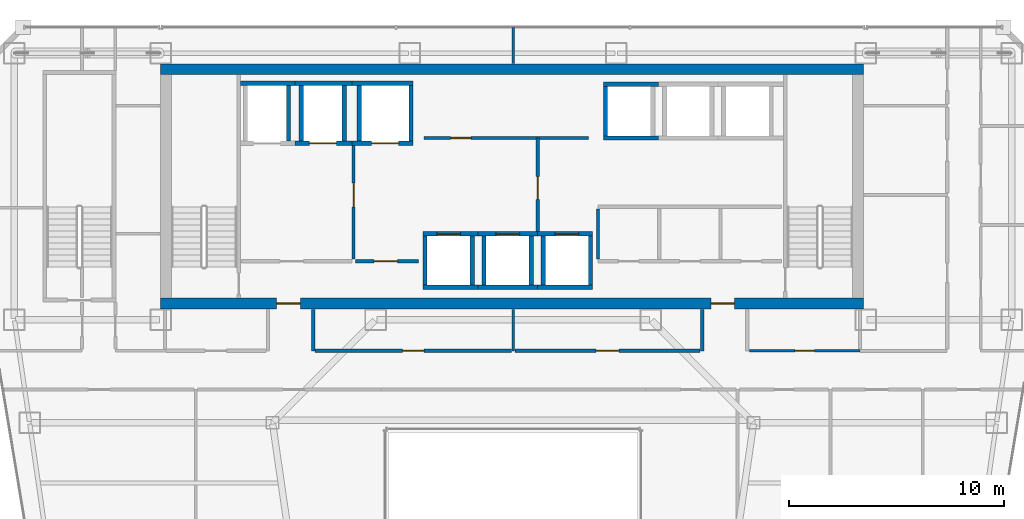
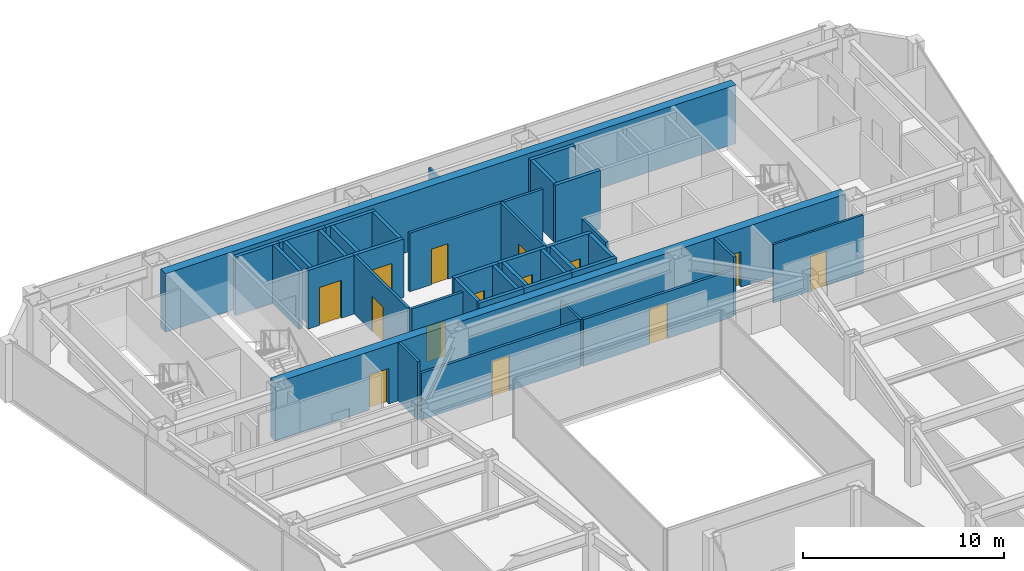
# One storey, part 32 of 37: 39 walls, 14 doors, 14 openings.
"""IFC4 building model written with IfcOpenShell, lengths in metres."""

from ifc_helpers import new_model, si_unit, direction, frame, frame_2d, origin, place, context, subcontext, project, spatial, rectangle, extrude, material, layer, layer_set, type_object, element, fill, save


model = new_model("IFC4")

# Units and contexts
model_context = context("Model", 3, precision=1e-05, world=origin(), true_north=direction((0.0, 1.0)))
body_context = subcontext(model_context, "Body", "Model", "MODEL_VIEW")
ifc_project = project(units=[si_unit("LENGTHUNIT", "METRE"), si_unit("AREAUNIT", "SQUARE_METRE"), si_unit("VOLUMEUNIT", "CUBIC_METRE"), si_unit("PLANEANGLEUNIT", "RADIAN"), si_unit("MASSUNIT", "GRAM", prefix="KILO")], contexts=[model_context])

# Site, building, storey
site_placement = place(None, origin())
site = spatial("IfcSite", under=ifc_project, at=site_placement, CompositionType="ELEMENT")
building_placement = place(site_placement, origin())
building = spatial("IfcBuilding", under=site, at=building_placement, Name="Saevonmaru Cultural Tower", CompositionType="ELEMENT")
storey_placement = place(building_placement, frame((0.0, 0.0, 144.800048828125)))
storey = spatial("IfcBuildingStorey", under=building, at=storey_placement, Name="L31", CompositionType="ELEMENT", Elevation=144.800048828125)

# Wall, openings, doors
ifc_material_1 = material(Name="Concrete C60/75", Category="concrete")
ifc_layer_1 = layer(ifc_material_1, 0.5, Name="Concrete C60/75")
ifc_layer_set_1 = layer_set([ifc_layer_1], Name="Concrete C60/75")
wall_type_1 = type_object("IfcWallType", Name="WL-CORE-500", PredefinedType="SHEAR", material=ifc_layer_set_1)
wall_1_placement = place(storey_placement, frame((13.60009765625, 43.14990234375, 0.0), z_axis=(0.0, 0.0, 1.0), x_axis=(1.0, 0.0, 0.0)))
wall_1 = element("IfcWall", 1, at=wall_1_placement, inside=storey, type_object=wall_type_1, Name="L31 Tower RC core shear wall S", PredefinedType="SHEAR", context=body_context, shape_type="SweptSolid", body=[
    extrude(rectangle(XDim=32.699951171875, YDim=0.5, at=frame_2d((16.35009765625, 0.0))), origin(), (0.0, 0.0, 1.0), 3.550048828125),
])
opening_1_placement = place(wall_1_placement, frame((5.39990234375, 0.0, 0.0)))
opening_1 = element("IfcOpeningElement", 2, at=opening_1_placement, cuts=wall_1, Name="Opening FD-2", PredefinedType="OPENING", context=body_context, shape_type="SweptSolid", body=[
    extrude(rectangle(XDim=1.10009765625, YDim=2.14990234375, at=frame_2d((0.550048828125, 1.074951171875))), frame((0.0, 0.260009765625, 0.0), z_axis=(0.0, -1.0, 0.0), x_axis=(1.0, 0.0, 0.0)), (0.0, 0.0, 1.0), 0.52001953125),
])
opening_2_placement = place(wall_1_placement, frame((25.60009765625, 0.0, 0.0)))
opening_2 = element("IfcOpeningElement", 3, at=opening_2_placement, cuts=wall_1, Name="Opening FD-2", PredefinedType="OPENING", context=body_context, shape_type="SweptSolid", body=[
    extrude(rectangle(XDim=1.10009765625, YDim=2.14990234375, at=frame_2d((0.550048828125, 1.074951171875))), frame((0.0, 0.260009765625, 0.0), z_axis=(0.0, -1.0, 0.0), x_axis=(1.0, 0.0, 0.0)), (0.0, 0.0, 1.0), 0.52001953125),
])
ifc_material_2 = material(Name="Satin Bronze Anodised Aluminium", Category="aluminium")
door_type_1 = type_object("IfcDoorType", Name="DR-FD60-1100", OperationType="SINGLE_SWING_LEFT", PredefinedType="DOOR", material=ifc_material_2)
door_1_placement = place(opening_1_placement, origin())
door_1 = element("IfcDoor", 4, at=door_1_placement, inside=storey, type_object=door_type_1, Name="L31 Core West Lobby Fire Door", OperationType="SINGLE_SWING_LEFT", OverallHeight=2.14990234375, OverallWidth=1.10009765625, PredefinedType="DOOR", context=body_context, shape_type="SweptSolid", body=[
    extrude(rectangle(XDim=1.10009765625, YDim=2.14990234375, at=frame_2d((0.550048828125, 1.074951171875))), frame((0.0, 0.02490234375, 0.0), z_axis=(0.0, -1.0, 0.0), x_axis=(1.0, 0.0, 0.0)), (0.0, 0.0, 1.0), 0.050048828125),
])
fill(opening_1, door_1)
door_2_placement = place(opening_2_placement, origin())
door_2 = element("IfcDoor", 5, at=door_2_placement, inside=storey, type_object=door_type_1, Name="L31 Core East Lobby Fire Door", OperationType="SINGLE_SWING_LEFT", OverallHeight=2.14990234375, OverallWidth=1.10009765625, PredefinedType="DOOR", context=body_context, shape_type="SweptSolid", body=[
    extrude(rectangle(XDim=1.10009765625, YDim=2.14990234375, at=frame_2d((0.550048828125, 1.074951171875))), frame((0.0, 0.02490234375, 0.0), z_axis=(0.0, -1.0, 0.0), x_axis=(1.0, 0.0, 0.0)), (0.0, 0.0, 1.0), 0.050048828125),
])
fill(opening_2, door_2)

# Wall
wall_2_placement = place(storey_placement, frame((13.60009765625, 54.050048828125, 0.0), z_axis=(0.0, 0.0, 1.0), x_axis=(1.0, 0.0, 0.0)))
element("IfcWall", 6, at=wall_2_placement, inside=storey, type_object=wall_type_1, Name="L31 Tower RC core shear wall N", PredefinedType="SHEAR", context=body_context, shape_type="SweptSolid", body=[
    extrude(rectangle(XDim=32.699951171875, YDim=0.5, at=frame_2d((16.35009765625, 0.0))), origin(), (0.0, 0.0, 1.0), 3.550048828125),
])

# Wall, opening, door
ifc_material_3 = material(Name="Gypsum Fireboard Partition", Category="gypsum")
ifc_layer_2 = layer(ifc_material_3, 0.14990234375, Name="Gypsum Fireboard Partition")
ifc_layer_set_2 = layer_set([ifc_layer_2], Name="Gypsum Fireboard Partition")
wall_type_2 = type_object("IfcWallType", Name="WL-CORE-PART-150", PredefinedType="PARTITIONING", material=ifc_layer_set_2)
wall_3_placement = place(storey_placement, frame((22.580078125, 50.550048828125, 0.0), z_axis=(0.0, 0.0, 1.0), x_axis=(0.0, -1.0, 0.0)))
wall_3 = element("IfcWall", 7, at=wall_3_placement, inside=storey, type_object=wall_type_2, Name="L31 Firefighting Lift Lobby East Wall", PredefinedType="PARTITIONING", context=body_context, shape_type="SweptSolid", body=[
    extrude(rectangle(XDim=5.330078125, YDim=0.14990234375, at=frame_2d((2.6650390625, 0.0))), origin(), (0.0, 0.0, 1.0), 3.550048828125),
])
opening_3_placement = place(wall_3_placement, frame((1.800048828125, 0.0, 0.0)))
opening_3 = element("IfcOpeningElement", 8, at=opening_3_placement, cuts=wall_3, Name="Opening FD-2", PredefinedType="OPENING", context=body_context, shape_type="SweptSolid", body=[
    extrude(rectangle(XDim=1.10009765625, YDim=2.14990234375, at=frame_2d((0.550048828125, 1.074951171875))), frame((0.0, 0.0849609375, 0.0), z_axis=(0.0, -1.0, 0.0), x_axis=(1.0, 0.0, 0.0)), (0.0, 0.0, 1.0), 0.169921875),
])
door_3_placement = place(opening_3_placement, origin())
door_3 = element("IfcDoor", 9, at=door_3_placement, inside=storey, type_object=door_type_1, Name="L31 Firefighting Lift Lobby East Door", OperationType="SINGLE_SWING_LEFT", OverallHeight=2.14990234375, OverallWidth=1.10009765625, PredefinedType="DOOR", context=body_context, shape_type="SweptSolid", body=[
    extrude(rectangle(XDim=1.10009765625, YDim=2.14990234375, at=frame_2d((0.550048828125, 1.074951171875))), frame((0.0, 0.02490234375, 0.0), z_axis=(0.0, -1.0, 0.0), x_axis=(1.0, 0.0, 0.0)), (0.0, 0.0, 1.0), 0.050048828125),
])
fill(opening_3, door_3)

wall_4_placement = place(storey_placement, frame((22.679931640625, 45.1201171875, 0.0), z_axis=(0.0, 0.0, 1.0), x_axis=(1.0, 0.0, 0.0)))
wall_4 = element("IfcWall", 10, at=wall_4_placement, inside=storey, type_object=wall_type_2, Name="L31 Service Lift Vestibule Wall", PredefinedType="PARTITIONING", context=body_context, shape_type="SweptSolid", body=[
    extrude(rectangle(XDim=2.920166015625, YDim=0.14990234375, at=frame_2d((1.4599609375, 0.0))), origin(), (0.0, 0.0, 1.0), 3.550048828125),
])
opening_4_placement = place(wall_4_placement, frame((0.85009765625, 0.0, 0.0)))
opening_4 = element("IfcOpeningElement", 11, at=opening_4_placement, cuts=wall_4, Name="Opening FD-2", PredefinedType="OPENING", context=body_context, shape_type="SweptSolid", body=[
    extrude(rectangle(XDim=1.10009765625, YDim=2.14990234375, at=frame_2d((0.550048828125, 1.074951171875))), frame((0.0, 0.0849609375, 0.0), z_axis=(0.0, -1.0, 0.0), x_axis=(1.0, 0.0, 0.0)), (0.0, 0.0, 1.0), 0.169921875),
])
door_4_placement = place(opening_4_placement, origin())
door_4 = element("IfcDoor", 12, at=door_4_placement, inside=storey, type_object=door_type_1, Name="L31 Service Lift Vestibule Door", OperationType="SINGLE_SWING_LEFT", OverallHeight=2.14990234375, OverallWidth=1.10009765625, PredefinedType="DOOR", context=body_context, shape_type="SweptSolid", body=[
    extrude(rectangle(XDim=1.10009765625, YDim=2.14990234375, at=frame_2d((0.550048828125, 1.074951171875))), frame((0.0, 0.02490234375, 0.0), z_axis=(0.0, -1.0, 0.0), x_axis=(1.0, 0.0, 0.0)), (0.0, 0.0, 1.0), 0.050048828125),
])
fill(opening_4, door_4)

wall_5_placement = place(storey_placement, frame((31.14990234375, 46.5, 0.0), z_axis=(0.0, 0.0, 1.0), x_axis=(0.0, 1.0, 0.0)))
wall_5 = element("IfcWall", 13, at=wall_5_placement, inside=storey, type_object=wall_type_2, Name="L31 Lift Zone Baffle 1", PredefinedType="PARTITIONING", context=body_context, shape_type="SweptSolid", body=[
    extrude(rectangle(XDim=4.35009765625, YDim=0.14990234375, at=frame_2d((2.175048828125, 0.0))), origin(), (0.0, 0.0, 1.0), 3.550048828125),
])
opening_5_placement = place(wall_5_placement, frame((1.5, 0.0, 0.0)))
opening_5 = element("IfcOpeningElement", 14, at=opening_5_placement, cuts=wall_5, Name="Opening ID-1", PredefinedType="OPENING", context=body_context, shape_type="SweptSolid", body=[
    extrude(rectangle(XDim=1.050048828125, YDim=2.14990234375, at=frame_2d((0.52490234375, 1.074951171875))), frame((0.0, 0.0849609375, 0.0), z_axis=(0.0, -1.0, 0.0), x_axis=(1.0, 0.0, 0.0)), (0.0, 0.0, 1.0), 0.169921875),
])
door_type_2 = type_object("IfcDoorType", Name="DR-INT-1050", OperationType="SINGLE_SWING_LEFT", PredefinedType="DOOR", material=ifc_material_2)
door_5_placement = place(opening_5_placement, origin())
door_5 = element("IfcDoor", 15, at=door_5_placement, inside=storey, type_object=door_type_2, Name="L31 West-Mid Lobby Portal", OperationType="SINGLE_SWING_LEFT", OverallHeight=2.14990234375, OverallWidth=1.050048828125, PredefinedType="DOOR", context=body_context, shape_type="SweptSolid", body=[
    extrude(rectangle(XDim=1.050048828125, YDim=2.14990234375, at=frame_2d((0.52490234375, 1.074951171875))), frame((0.0, 0.02490234375, 0.0), z_axis=(0.0, -1.0, 0.0), x_axis=(1.0, 0.0, 0.0)), (0.0, 0.0, 1.0), 0.050048828125),
])
fill(opening_5, door_5)

# Wall
wall_6_placement = place(storey_placement, frame((33.949951171875, 45.219970703125, 0.0), z_axis=(0.0, 0.0, 1.0), x_axis=(0.0, 1.0, 0.0)))
element("IfcWall", 16, at=wall_6_placement, inside=storey, type_object=wall_type_2, Name="L31 Core Utility West Wall", PredefinedType="PARTITIONING", context=body_context, shape_type="SweptSolid", body=[
    extrude(rectangle(XDim=2.330078125, YDim=0.14990234375, at=frame_2d((1.1650390625, 0.0))), origin(), (0.0, 0.0, 1.0), 3.550048828125),
])

# Wall, opening, door
wall_7_placement = place(storey_placement, frame((25.85009765625, 50.85009765625, 0.0), z_axis=(0.0, 0.0, 1.0), x_axis=(1.0, 0.0, 0.0)))
wall_7 = element("IfcWall", 17, at=wall_7_placement, inside=storey, type_object=wall_type_2, Name="L31 Reclaimed Core Room South Wall", PredefinedType="PARTITIONING", context=body_context, shape_type="SweptSolid", body=[
    extrude(rectangle(XDim=7.64990234375, YDim=0.14990234375, at=frame_2d((3.824951171875, 0.0))), origin(), (0.0, 0.0, 1.0), 3.550048828125),
])
opening_6_placement = place(wall_7_placement, frame((1.25, 0.0, 0.0)))
opening_6 = element("IfcOpeningElement", 18, at=opening_6_placement, cuts=wall_7, Name="Opening FD-4", PredefinedType="OPENING", context=body_context, shape_type="SweptSolid", body=[
    extrude(rectangle(XDim=0.949951171875, YDim=2.14990234375, at=frame_2d((0.47509765625, 1.074951171875))), frame((0.0, 0.0849609375, 0.0), z_axis=(0.0, -1.0, 0.0), x_axis=(1.0, 0.0, 0.0)), (0.0, 0.0, 1.0), 0.169921875),
])
door_type_3 = type_object("IfcDoorType", Name="DR-FD60-950", OperationType="SINGLE_SWING_LEFT", PredefinedType="DOOR", material=ifc_material_2)
door_6_placement = place(opening_6_placement, origin())
door_6 = element("IfcDoor", 19, at=door_6_placement, inside=storey, type_object=door_type_3, Name="L31 Reclaimed Archive Vault Door", OperationType="SINGLE_SWING_LEFT", OverallHeight=2.14990234375, OverallWidth=0.949951171875, PredefinedType="DOOR", context=body_context, shape_type="SweptSolid", body=[
    extrude(rectangle(XDim=0.949951171875, YDim=2.14990234375, at=frame_2d((0.47509765625, 1.074951171875))), frame((0.0, 0.02490234375, 0.0), z_axis=(0.0, -1.0, 0.0), x_axis=(1.0, 0.0, 0.0)), (0.0, 0.0, 1.0), 0.050048828125),
])
fill(opening_6, door_6)

# Walls
ifc_layer_3 = layer(ifc_material_3, 0.14990234375, Name="Gypsum Fireboard Partition")
ifc_layer_set_3 = layer_set([ifc_layer_3], Name="Gypsum Fireboard Partition")
wall_type_3 = type_object("IfcWallType", Name="WL-PART-FIRE-150", PredefinedType="PARTITIONING", material=ifc_layer_set_3)
for number, where, z_axis, x_axis, name in (
    (20, (20.699951171875, 40.949951171875, 0.0), (0.0, 0.0, 1.0), (0.0, 1.0, 0.0), "L31 Core Portal Side Wall W2"),
    (21, (38.800048828125, 40.949951171875, 0.0), (0.0, 0.0, 1.0), (0.0, 1.0, 0.0), "L31 Core Portal Side Wall E1"),
):
    element("IfcWall", number, at=place(storey_placement, frame(where, z_axis=z_axis, x_axis=x_axis)), inside=storey, type_object=wall_type_3, Name=name, PredefinedType="PARTITIONING", context=body_context, shape_type="SweptSolid", body=[
        extrude(rectangle(XDim=1.929931640625, YDim=0.14990234375, at=frame_2d((0.96484375, 0.0))), origin(), (0.0, 0.0, 1.0), 3.550048828125),
    ])

# Wall, opening, door
wall_8_placement = place(storey_placement, frame((20.794921875, 40.949951171875, 0.0), z_axis=(0.0, 0.0, 1.0), x_axis=(1.0, 0.0, 0.0)))
wall_8 = element("IfcWall", 22, at=wall_8_placement, inside=storey, type_object=wall_type_3, Name="L31 Acoustic Chamber Auditorium Corridor Wall", PredefinedType="PARTITIONING", context=body_context, shape_type="SweptSolid", body=[
    extrude(rectangle(XDim=9.125, YDim=0.14990234375, at=frame_2d((4.5625, 0.0))), origin(), (0.0, 0.0, 1.0), 2.8349609375),
])
opening_7_placement = place(wall_8_placement, frame((4.06201171875, 0.0, 0.0)))
opening_7 = element("IfcOpeningElement", 23, at=opening_7_placement, cuts=wall_8, Name="Opening ID-1B", PredefinedType="OPENING", context=body_context, shape_type="SweptSolid", body=[
    extrude(rectangle(XDim=1.0, YDim=2.14990234375, at=frame_2d((0.5, 1.074951171875))), frame((0.0, 0.0849609375, 0.0), z_axis=(0.0, -1.0, 0.0), x_axis=(1.0, 0.0, 0.0)), (0.0, 0.0, 1.0), 0.169921875),
])
ifc_material_4 = material(Name="Acoustic Stained Oak Timber", Category="wood")
door_type_4 = type_object("IfcDoorType", Name="DR-INT-1000", OperationType="SINGLE_SWING_RIGHT", PredefinedType="DOOR", material=ifc_material_4)
door_7_placement = place(opening_7_placement, origin())
door_7 = element("IfcDoor", 24, at=door_7_placement, inside=storey, type_object=door_type_4, Name="L31 Acoustic Chamber Auditorium Door", OperationType="SINGLE_SWING_LEFT", OverallHeight=2.14990234375, OverallWidth=1.0, PredefinedType="DOOR", context=body_context, shape_type="SweptSolid", body=[
    extrude(rectangle(XDim=1.0, YDim=2.14990234375, at=frame_2d((0.5, 1.074951171875))), frame((0.0, 0.02490234375, 0.0), z_axis=(0.0, -1.0, 0.0), x_axis=(1.0, 0.0, 0.0)), (0.0, 0.0, 1.0), 0.050048828125),
])
fill(opening_7, door_7)

wall_9_placement = place(storey_placement, frame((30.080078125, 40.949951171875, 0.0), z_axis=(0.0, 0.0, 1.0), x_axis=(1.0, 0.0, 0.0)))
wall_9 = element("IfcWall", 25, at=wall_9_placement, inside=storey, type_object=wall_type_3, Name="L31 Sky Observatory Gallery Corridor Wall", PredefinedType="PARTITIONING", context=body_context, shape_type="SweptSolid", body=[
    extrude(rectangle(XDim=8.625, YDim=0.14990234375, at=frame_2d((4.3125, 0.0))), origin(), (0.0, 0.0, 1.0), 2.8349609375),
])
opening_8_placement = place(wall_9_placement, frame((3.7880859375, 0.0, 0.0)))
opening_8 = element("IfcOpeningElement", 26, at=opening_8_placement, cuts=wall_9, Name="Opening ID-1", PredefinedType="OPENING", context=body_context, shape_type="SweptSolid", body=[
    extrude(rectangle(XDim=1.050048828125, YDim=2.14990234375, at=frame_2d((0.52490234375, 1.074951171875))), frame((0.0, 0.0849609375, 0.0), z_axis=(0.0, -1.0, 0.0), x_axis=(1.0, 0.0, 0.0)), (0.0, 0.0, 1.0), 0.169921875),
])
door_8_placement = place(opening_8_placement, origin())
door_8 = element("IfcDoor", 27, at=door_8_placement, inside=storey, type_object=door_type_2, Name="L31 Sky Observatory Gallery Door", OperationType="SINGLE_SWING_RIGHT", OverallHeight=2.14990234375, OverallWidth=1.050048828125, PredefinedType="DOOR", context=body_context, shape_type="SweptSolid", body=[
    extrude(rectangle(XDim=1.050048828125, YDim=2.14990234375, at=frame_2d((0.52490234375, 1.074951171875))), frame((0.0, 0.02490234375, 0.0), z_axis=(0.0, -1.0, 0.0), x_axis=(1.0, 0.0, 0.0)), (0.0, 0.0, 1.0), 0.050048828125),
])
fill(opening_8, door_8)

# Walls
ifc_layer_4 = layer(ifc_material_3, 0.1201171875, Name="Gypsum Fireboard Partition")
ifc_layer_set_4 = layer_set([ifc_layer_4], Name="Gypsum Fireboard Partition")
wall_type_4 = type_object("IfcWallType", Name="WL-PART-GYP-120", PredefinedType="PARTITIONING", material=ifc_layer_set_4)
wall_10_placement = place(storey_placement, frame((30.0, 54.320068359375, 0.0), z_axis=(0.0, 0.0, 1.0), x_axis=(0.0, 1.0, 0.0)))
element("IfcWall", 28, at=wall_10_placement, inside=storey, type_object=wall_type_4, Name="L31 North Panorama Center Split", PredefinedType="PARTITIONING", context=body_context, shape_type="SweptSolid", body=[
    extrude(rectangle(XDim=1.675048828125, YDim=0.1201171875, at=frame_2d((0.83740234375, 0.0))), origin(), (0.0, 0.0, 1.0), 2.93505859375),
])
wall_11_placement = place(storey_placement, frame((30.0, 40.949951171875, 0.0), z_axis=(0.0, 0.0, 1.0), x_axis=(0.0, 1.0, 0.0)))
element("IfcWall", 29, at=wall_11_placement, inside=storey, type_object=wall_type_4, Name="L31 Spine Alcove Split", PredefinedType="PARTITIONING", context=body_context, shape_type="SweptSolid", body=[
    extrude(rectangle(XDim=1.929931640625, YDim=0.1201171875, at=frame_2d((0.96484375, 0.0))), origin(), (0.0, 0.0, 1.0), 2.8349609375),
])

# Wall, opening, door
wall_12_placement = place(storey_placement, frame((40.9951171875, 40.949951171875, 0.0), z_axis=(0.0, 0.0, 1.0), x_axis=(1.0, 0.0, 0.0)))
wall_12 = element("IfcWall", 30, at=wall_12_placement, inside=storey, type_object=wall_type_4, Name="L31 Civic Policy Meeting Room Corridor Wall", PredefinedType="PARTITIONING", context=body_context, shape_type="SweptSolid", body=[
    extrude(rectangle(XDim=5.15478515625, YDim=0.1201171875, at=frame_2d((2.577392578125, 0.0))), origin(), (0.0, 0.0, 1.0), 3.550048828125),
])
opening_9_placement = place(wall_12_placement, frame((2.1279296875, 0.0, 0.0)))
opening_9 = element("IfcOpeningElement", 31, at=opening_9_placement, cuts=wall_12, Name="Opening ID-2", PredefinedType="OPENING", context=body_context, shape_type="SweptSolid", body=[
    extrude(rectangle(XDim=0.89990234375, YDim=2.10009765625, at=frame_2d((0.449951171875, 1.050048828125))), frame((0.0, 0.070068359375, 0.0), z_axis=(0.0, -1.0, 0.0), x_axis=(1.0, 0.0, 0.0)), (0.0, 0.0, 1.0), 0.14013671875),
])
door_type_5 = type_object("IfcDoorType", Name="DR-INT-900", OperationType="SINGLE_SWING_RIGHT", PredefinedType="DOOR", material=ifc_material_4)
door_9_placement = place(opening_9_placement, origin())
door_9 = element("IfcDoor", 32, at=door_9_placement, inside=storey, type_object=door_type_5, Name="L31 Civic Policy Meeting Room Door", OperationType="SINGLE_SWING_LEFT", OverallHeight=2.10009765625, OverallWidth=0.89990234375, PredefinedType="DOOR", context=body_context, shape_type="SweptSolid", body=[
    extrude(rectangle(XDim=0.89990234375, YDim=2.10009765625, at=frame_2d((0.449951171875, 1.050048828125))), frame((0.0, 0.02490234375, 0.0), z_axis=(0.0, -1.0, 0.0), x_axis=(1.0, 0.0, 0.0)), (0.0, 0.0, 1.0), 0.050048828125),
])
fill(opening_9, door_9)

# Walls
ifc_material_5 = material(Name="Concrete C40/50", Category="concrete")
ifc_layer_5 = layer(ifc_material_5, 0.199951171875, Name="Concrete C40/50")
ifc_layer_set_5 = layer_set([ifc_layer_5], Name="Concrete C40/50")
wall_type_5 = type_object("IfcWallType", Name="WL-SHAFT-200", PredefinedType="SHEAR", material=ifc_layer_set_5)
wall_13_placement = place(storey_placement, frame((17.330078125, 53.39990234375, 0.0), z_axis=(0.0, 0.0, 1.0), x_axis=(1.0, 0.0, 0.0)))
element("IfcWall", 33, at=wall_13_placement, inside=storey, type_object=wall_type_5, Name="L31 Lift FFL-1 Hoistway Wall N", PredefinedType="SHEAR", context=body_context, shape_type="SweptSolid", body=[
    extrude(rectangle(XDim=2.52001953125, YDim=0.199951171875, at=frame_2d((1.260009765625, 0.0))), origin(), (0.0, 0.0, 1.0), 3.550048828125),
])
wall_14_placement = place(storey_placement, frame((19.550048828125, 50.699951171875, 0.0), z_axis=(0.0, 0.0, 1.0), x_axis=(0.0, 1.0, 0.0)))
element("IfcWall", 34, at=wall_14_placement, inside=storey, type_object=wall_type_5, Name="L31 Lift FFL-1 Hoistway Wall E", PredefinedType="SHEAR", context=body_context, shape_type="SweptSolid", body=[
    extrude(rectangle(XDim=2.60009765625, YDim=0.199951171875, at=frame_2d((1.300048828125, 0.0))), origin(), (0.0, 0.0, 1.0), 3.550048828125),
])

# Wall, opening, door
wall_15_placement = place(storey_placement, frame((19.85009765625, 50.60009765625, 0.0), z_axis=(0.0, 0.0, 1.0), x_axis=(1.0, 0.0, 0.0)))
wall_15 = element("IfcWall", 35, at=wall_15_placement, inside=storey, type_object=wall_type_5, Name="L31 Lift FFL-2 Hoistway Wall S", PredefinedType="SHEAR", context=body_context, shape_type="SweptSolid", body=[
    extrude(rectangle(XDim=2.64990234375, YDim=0.199951171875, at=frame_2d((1.324951171875, 0.0))), origin(), (0.0, 0.0, 1.0), 3.550048828125),
])
opening_10_placement = place(wall_15_placement, frame((0.675048828125, 0.0, 0.0)))
opening_10 = element("IfcOpeningElement", 36, at=opening_10_placement, cuts=wall_15, Name="Opening LD-2", PredefinedType="OPENING", context=body_context, shape_type="SweptSolid", body=[
    extrude(rectangle(XDim=1.25, YDim=2.300048828125, at=frame_2d((0.625, 1.14990234375))), frame((0.0, 0.10986328125, 0.0), z_axis=(0.0, -1.0, 0.0), x_axis=(1.0, 0.0, 0.0)), (0.0, 0.0, 1.0), 0.219970703125),
])
ifc_material_6 = material(Name="Stainless Steel 316", Category="steel")
door_type_6 = type_object("IfcDoorType", Name="DR-LIFT-1250", OperationType="SLIDING_TO_LEFT", PredefinedType="DOOR", material=ifc_material_6)
door_10_placement = place(opening_10_placement, origin())
door_10 = element("IfcDoor", 37, at=door_10_placement, inside=storey, type_object=door_type_6, Name="L31 Lift FFL-2 Sliding Landing Door", OperationType="SLIDING_TO_LEFT", OverallHeight=2.300048828125, OverallWidth=1.25, PredefinedType="DOOR", context=body_context, shape_type="SweptSolid", body=[
    extrude(rectangle(XDim=1.25, YDim=2.300048828125, at=frame_2d((0.625, 1.14990234375))), frame((0.0, 0.02490234375, 0.0), z_axis=(0.0, -1.0, 0.0), x_axis=(1.0, 0.0, 0.0)), (0.0, 0.0, 1.0), 0.050048828125),
])
fill(opening_10, door_10)

# Walls
wall_16_placement = place(storey_placement, frame((19.85009765625, 53.39990234375, 0.0), z_axis=(0.0, 0.0, 1.0), x_axis=(1.0, 0.0, 0.0)))
element("IfcWall", 38, at=wall_16_placement, inside=storey, type_object=wall_type_5, Name="L31 Lift FFL-2 Hoistway Wall N", PredefinedType="SHEAR", context=body_context, shape_type="SweptSolid", body=[
    extrude(rectangle(XDim=2.64990234375, YDim=0.199951171875, at=frame_2d((1.324951171875, 0.0))), origin(), (0.0, 0.0, 1.0), 3.550048828125),
])
for number, where, z_axis, x_axis, name in (
    (39, (20.14990234375, 50.699951171875, 0.0), (0.0, 0.0, 1.0), (0.0, 1.0, 0.0), "L31 Lift FFL-2 Hoistway Wall W"),
    (40, (22.14990234375, 50.699951171875, 0.0), (0.0, 0.0, 1.0), (0.0, 1.0, 0.0), "L31 Lift FFL-2 Hoistway Wall E"),
):
    element("IfcWall", number, at=place(storey_placement, frame(where, z_axis=z_axis, x_axis=x_axis)), inside=storey, type_object=wall_type_5, Name=name, PredefinedType="SHEAR", context=body_context, shape_type="SweptSolid", body=[
        extrude(rectangle(XDim=2.60009765625, YDim=0.199951171875, at=frame_2d((1.300048828125, 0.0))), origin(), (0.0, 0.0, 1.0), 3.550048828125),
    ])

# Wall, opening, door
wall_17_placement = place(storey_placement, frame((22.5, 50.60009765625, 0.0), z_axis=(0.0, 0.0, 1.0), x_axis=(1.0, 0.0, 0.0)))
wall_17 = element("IfcWall", 41, at=wall_17_placement, inside=storey, type_object=wall_type_5, Name="L31 Lift GL-1 Hoistway Wall S", PredefinedType="SHEAR", context=body_context, shape_type="SweptSolid", body=[
    extrude(rectangle(XDim=2.85009765625, YDim=0.199951171875, at=frame_2d((1.425048828125, 0.0))), origin(), (0.0, 0.0, 1.0), 3.550048828125),
])
opening_11_placement = place(wall_17_placement, frame((0.925048828125, 0.0, 0.0)))
opening_11 = element("IfcOpeningElement", 42, at=opening_11_placement, cuts=wall_17, Name="Opening LD-2", PredefinedType="OPENING", context=body_context, shape_type="SweptSolid", body=[
    extrude(rectangle(XDim=1.25, YDim=2.300048828125, at=frame_2d((0.625, 1.14990234375))), frame((0.0, 0.10986328125, 0.0), z_axis=(0.0, -1.0, 0.0), x_axis=(1.0, 0.0, 0.0)), (0.0, 0.0, 1.0), 0.219970703125),
])
door_11_placement = place(opening_11_placement, origin())
door_11 = element("IfcDoor", 43, at=door_11_placement, inside=storey, type_object=door_type_6, Name="L31 Lift GL-1 Sliding Landing Door", OperationType="SLIDING_TO_LEFT", OverallHeight=2.300048828125, OverallWidth=1.25, PredefinedType="DOOR", context=body_context, shape_type="SweptSolid", body=[
    extrude(rectangle(XDim=1.25, YDim=2.300048828125, at=frame_2d((0.625, 1.14990234375))), frame((0.0, 0.02490234375, 0.0), z_axis=(0.0, -1.0, 0.0), x_axis=(1.0, 0.0, 0.0)), (0.0, 0.0, 1.0), 0.050048828125),
])
fill(opening_11, door_11)

# Walls
wall_18_placement = place(storey_placement, frame((22.5, 53.39990234375, 0.0), z_axis=(0.0, 0.0, 1.0), x_axis=(1.0, 0.0, 0.0)))
element("IfcWall", 44, at=wall_18_placement, inside=storey, type_object=wall_type_5, Name="L31 Lift GL-1 Hoistway Wall N", PredefinedType="SHEAR", context=body_context, shape_type="SweptSolid", body=[
    extrude(rectangle(XDim=2.85009765625, YDim=0.199951171875, at=frame_2d((1.425048828125, 0.0))), origin(), (0.0, 0.0, 1.0), 3.550048828125),
])
for number, where, z_axis, x_axis, name in (
    (45, (22.85009765625, 50.699951171875, 0.0), (0.0, 0.0, 1.0), (0.0, 1.0, 0.0), "L31 Lift GL-1 Hoistway Wall W"),
    (46, (25.25, 50.699951171875, 0.0), (0.0, 0.0, 1.0), (0.0, 1.0, 0.0), "L31 Lift GL-1 Hoistway Wall E"),
):
    element("IfcWall", number, at=place(storey_placement, frame(where, z_axis=z_axis, x_axis=x_axis)), inside=storey, type_object=wall_type_5, Name=name, PredefinedType="SHEAR", context=body_context, shape_type="SweptSolid", body=[
        extrude(rectangle(XDim=2.60009765625, YDim=0.199951171875, at=frame_2d((1.300048828125, 0.0))), origin(), (0.0, 0.0, 1.0), 3.550048828125),
    ])
wall_19_placement = place(storey_placement, frame((25.800048828125, 43.89990234375, 0.0), z_axis=(0.0, 0.0, 1.0), x_axis=(1.0, 0.0, 0.0)))
element("IfcWall", 47, at=wall_19_placement, inside=storey, type_object=wall_type_5, Name="L31 Lift PL-M1 Hoistway Wall S", PredefinedType="SHEAR", context=body_context, shape_type="SweptSolid", body=[
    extrude(rectangle(XDim=2.574951171875, YDim=0.199951171875, at=frame_2d((1.28759765625, 0.0))), origin(), (0.0, 0.0, 1.0), 3.550048828125),
])

# Wall, opening, door
wall_20_placement = place(storey_placement, frame((25.800048828125, 46.39990234375, 0.0), z_axis=(0.0, 0.0, 1.0), x_axis=(1.0, 0.0, 0.0)))
wall_20 = element("IfcWall", 48, at=wall_20_placement, inside=storey, type_object=wall_type_5, Name="L31 Lift PL-M1 Hoistway Wall N", PredefinedType="SHEAR", context=body_context, shape_type="SweptSolid", body=[
    extrude(rectangle(XDim=2.574951171875, YDim=0.199951171875, at=frame_2d((1.28759765625, 0.0))), origin(), (0.0, 0.0, 1.0), 3.550048828125),
])
opening_12_placement = place(wall_20_placement, frame((0.64990234375, 0.0, 0.0)))
opening_12 = element("IfcOpeningElement", 49, at=opening_12_placement, cuts=wall_20, Name="Opening LD-1", PredefinedType="OPENING", context=body_context, shape_type="SweptSolid", body=[
    extrude(rectangle(XDim=1.10009765625, YDim=2.199951171875, at=frame_2d((0.550048828125, 1.10009765625))), frame((0.0, 0.10986328125, 0.0), z_axis=(0.0, -1.0, 0.0), x_axis=(1.0, 0.0, 0.0)), (0.0, 0.0, 1.0), 0.219970703125),
])
ifc_material_7 = material(Name="Satin Bronze Stainless Steel", Category="steel")
door_type_7 = type_object("IfcDoorType", Name="DR-LIFT-1100", OperationType="SLIDING_TO_LEFT", PredefinedType="DOOR", material=ifc_material_7)
door_12_placement = place(opening_12_placement, origin())
door_12 = element("IfcDoor", 50, at=door_12_placement, inside=storey, type_object=door_type_7, Name="L31 Lift PL-M1 Sliding Landing Door", OperationType="SLIDING_TO_LEFT", OverallHeight=2.199951171875, OverallWidth=1.10009765625, PredefinedType="DOOR", context=body_context, shape_type="SweptSolid", body=[
    extrude(rectangle(XDim=1.10009765625, YDim=2.199951171875, at=frame_2d((0.550048828125, 1.10009765625))), frame((0.0, 0.02490234375, 0.0), z_axis=(0.0, -1.0, 0.0), x_axis=(1.0, 0.0, 0.0)), (0.0, 0.0, 1.0), 0.050048828125),
])
fill(opening_12, door_12)

# Walls
for number, where, z_axis, x_axis, name in (
    (51, (25.89990234375, 44.0, 0.0), (0.0, 0.0, 1.0), (0.0, 1.0, 0.0), "L31 Lift PL-M1 Hoistway Wall W"),
    (52, (28.10009765625, 44.0, 0.0), (0.0, 0.0, 1.0), (0.0, 1.0, 0.0), "L31 Lift PL-M1 Hoistway Wall E"),
):
    element("IfcWall", number, at=place(storey_placement, frame(where, z_axis=z_axis, x_axis=x_axis)), inside=storey, type_object=wall_type_5, Name=name, PredefinedType="SHEAR", context=body_context, shape_type="SweptSolid", body=[
        extrude(rectangle(XDim=2.300048828125, YDim=0.199951171875, at=frame_2d((1.14990234375, 0.0))), origin(), (0.0, 0.0, 1.0), 3.550048828125),
    ])
wall_21_placement = place(storey_placement, frame((28.375, 43.89990234375, 0.0), z_axis=(0.0, 0.0, 1.0), x_axis=(1.0, 0.0, 0.0)))
element("IfcWall", 53, at=wall_21_placement, inside=storey, type_object=wall_type_5, Name="L31 Lift PL-M2 Hoistway Wall S", PredefinedType="SHEAR", context=body_context, shape_type="SweptSolid", body=[
    extrude(rectangle(XDim=2.75, YDim=0.199951171875, at=frame_2d((1.375, 0.0))), origin(), (0.0, 0.0, 1.0), 3.550048828125),
])

# Wall, opening, door
wall_22_placement = place(storey_placement, frame((28.375, 46.39990234375, 0.0), z_axis=(0.0, 0.0, 1.0), x_axis=(1.0, 0.0, 0.0)))
wall_22 = element("IfcWall", 54, at=wall_22_placement, inside=storey, type_object=wall_type_5, Name="L31 Lift PL-M2 Hoistway Wall N", PredefinedType="SHEAR", context=body_context, shape_type="SweptSolid", body=[
    extrude(rectangle(XDim=2.75, YDim=0.199951171875, at=frame_2d((1.375, 0.0))), origin(), (0.0, 0.0, 1.0), 3.550048828125),
])
opening_13_placement = place(wall_22_placement, frame((0.824951171875, 0.0, 0.0)))
opening_13 = element("IfcOpeningElement", 55, at=opening_13_placement, cuts=wall_22, Name="Opening LD-1", PredefinedType="OPENING", context=body_context, shape_type="SweptSolid", body=[
    extrude(rectangle(XDim=1.10009765625, YDim=2.199951171875, at=frame_2d((0.550048828125, 1.10009765625))), frame((0.0, 0.10986328125, 0.0), z_axis=(0.0, -1.0, 0.0), x_axis=(1.0, 0.0, 0.0)), (0.0, 0.0, 1.0), 0.219970703125),
])
door_13_placement = place(opening_13_placement, origin())
door_13 = element("IfcDoor", 56, at=door_13_placement, inside=storey, type_object=door_type_7, Name="L31 Lift PL-M2 Sliding Landing Door", OperationType="SLIDING_TO_LEFT", OverallHeight=2.199951171875, OverallWidth=1.10009765625, PredefinedType="DOOR", context=body_context, shape_type="SweptSolid", body=[
    extrude(rectangle(XDim=1.10009765625, YDim=2.199951171875, at=frame_2d((0.550048828125, 1.10009765625))), frame((0.0, 0.02490234375, 0.0), z_axis=(0.0, -1.0, 0.0), x_axis=(1.0, 0.0, 0.0)), (0.0, 0.0, 1.0), 0.050048828125),
])
fill(opening_13, door_13)

# Walls
for number, where, z_axis, x_axis, name in (
    (57, (28.64990234375, 44.0, 0.0), (0.0, 0.0, 1.0), (0.0, 1.0, 0.0), "L31 Lift PL-M2 Hoistway Wall W"),
    (58, (30.85009765625, 44.0, 0.0), (0.0, 0.0, 1.0), (0.0, 1.0, 0.0), "L31 Lift PL-M2 Hoistway Wall E"),
):
    element("IfcWall", number, at=place(storey_placement, frame(where, z_axis=z_axis, x_axis=x_axis)), inside=storey, type_object=wall_type_5, Name=name, PredefinedType="SHEAR", context=body_context, shape_type="SweptSolid", body=[
        extrude(rectangle(XDim=2.300048828125, YDim=0.199951171875, at=frame_2d((1.14990234375, 0.0))), origin(), (0.0, 0.0, 1.0), 3.550048828125),
    ])
wall_23_placement = place(storey_placement, frame((31.125, 43.89990234375, 0.0), z_axis=(0.0, 0.0, 1.0), x_axis=(1.0, 0.0, 0.0)))
element("IfcWall", 59, at=wall_23_placement, inside=storey, type_object=wall_type_5, Name="L31 Lift PL-M3 Hoistway Wall S", PredefinedType="SHEAR", context=body_context, shape_type="SweptSolid", body=[
    extrude(rectangle(XDim=2.574951171875, YDim=0.199951171875, at=frame_2d((1.28759765625, 0.0))), origin(), (0.0, 0.0, 1.0), 3.550048828125),
])

# Wall, opening, door
wall_24_placement = place(storey_placement, frame((31.125, 46.39990234375, 0.0), z_axis=(0.0, 0.0, 1.0), x_axis=(1.0, 0.0, 0.0)))
wall_24 = element("IfcWall", 60, at=wall_24_placement, inside=storey, type_object=wall_type_5, Name="L31 Lift PL-M3 Hoistway Wall N", PredefinedType="SHEAR", context=body_context, shape_type="SweptSolid", body=[
    extrude(rectangle(XDim=2.574951171875, YDim=0.199951171875, at=frame_2d((1.28759765625, 0.0))), origin(), (0.0, 0.0, 1.0), 3.550048828125),
])
opening_14_placement = place(wall_24_placement, frame((0.824951171875, 0.0, 0.0)))
opening_14 = element("IfcOpeningElement", 61, at=opening_14_placement, cuts=wall_24, Name="Opening LD-1", PredefinedType="OPENING", context=body_context, shape_type="SweptSolid", body=[
    extrude(rectangle(XDim=1.10009765625, YDim=2.199951171875, at=frame_2d((0.550048828125, 1.10009765625))), frame((0.0, 0.10986328125, 0.0), z_axis=(0.0, -1.0, 0.0), x_axis=(1.0, 0.0, 0.0)), (0.0, 0.0, 1.0), 0.219970703125),
])
door_14_placement = place(opening_14_placement, origin())
door_14 = element("IfcDoor", 62, at=door_14_placement, inside=storey, type_object=door_type_7, Name="L31 Lift PL-M3 Sliding Landing Door", OperationType="SLIDING_TO_LEFT", OverallHeight=2.199951171875, OverallWidth=1.10009765625, PredefinedType="DOOR", context=body_context, shape_type="SweptSolid", body=[
    extrude(rectangle(XDim=1.10009765625, YDim=2.199951171875, at=frame_2d((0.550048828125, 1.10009765625))), frame((0.0, 0.02490234375, 0.0), z_axis=(0.0, -1.0, 0.0), x_axis=(1.0, 0.0, 0.0)), (0.0, 0.0, 1.0), 0.050048828125),
])
fill(opening_14, door_14)

# Walls
for number, where, z_axis, x_axis, name in (
    (63, (31.39990234375, 44.0, 0.0), (0.0, 0.0, 1.0), (0.0, 1.0, 0.0), "L31 Lift PL-M3 Hoistway Wall W"),
    (64, (33.60009765625, 44.0, 0.0), (0.0, 0.0, 1.0), (0.0, 1.0, 0.0), "L31 Lift PL-M3 Hoistway Wall E"),
):
    element("IfcWall", number, at=place(storey_placement, frame(where, z_axis=z_axis, x_axis=x_axis)), inside=storey, type_object=wall_type_5, Name=name, PredefinedType="SHEAR", context=body_context, shape_type="SweptSolid", body=[
        extrude(rectangle(XDim=2.300048828125, YDim=0.199951171875, at=frame_2d((1.14990234375, 0.0))), origin(), (0.0, 0.0, 1.0), 3.550048828125),
    ])
for number, where, z_axis, x_axis, name in (
    (65, (34.199951171875, 50.85009765625, 0.0), (0.0, 0.0, 1.0), (1.0, 0.0, 0.0), "L31 Lift PL-H1 Hoistway Wall S"),
    (66, (34.199951171875, 53.35009765625, 0.0), (0.0, 0.0, 1.0), (1.0, 0.0, 0.0), "L31 Lift PL-H1 Hoistway Wall N"),
):
    element("IfcWall", number, at=place(storey_placement, frame(where, z_axis=z_axis, x_axis=x_axis)), inside=storey, type_object=wall_type_5, Name=name, PredefinedType="SHEAR", context=body_context, shape_type="SweptSolid", body=[
        extrude(rectangle(XDim=2.574951171875, YDim=0.199951171875, at=frame_2d((1.28759765625, 0.0))), origin(), (0.0, 0.0, 1.0), 3.550048828125),
    ])
wall_25_placement = place(storey_placement, frame((34.300048828125, 50.949951171875, 0.0), z_axis=(0.0, 0.0, 1.0), x_axis=(0.0, 1.0, 0.0)))
element("IfcWall", 67, at=wall_25_placement, inside=storey, type_object=wall_type_5, Name="L31 Lift PL-H1 Hoistway Wall W", PredefinedType="SHEAR", context=body_context, shape_type="SweptSolid", body=[
    extrude(rectangle(XDim=2.300048828125, YDim=0.199951171875, at=frame_2d((1.14990234375, 0.0))), origin(), (0.0, 0.0, 1.0), 3.550048828125),
])

save(model, "model.ifc")
